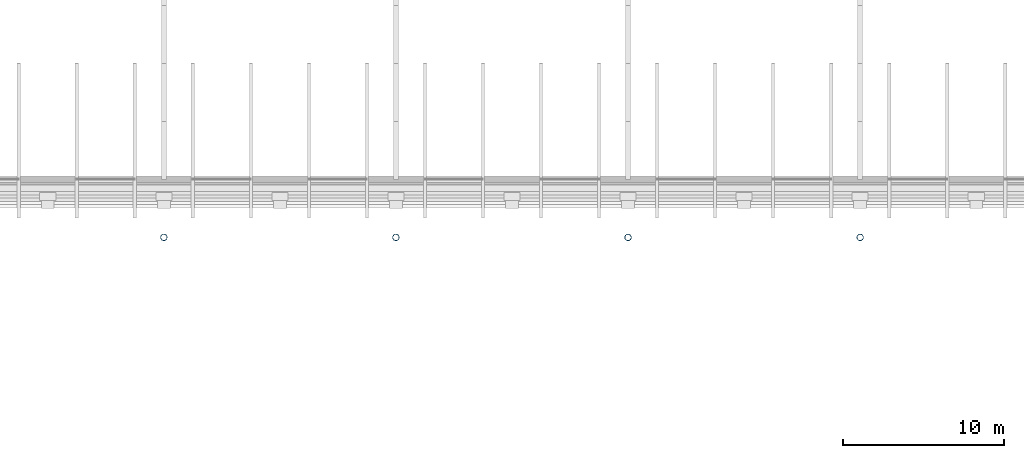
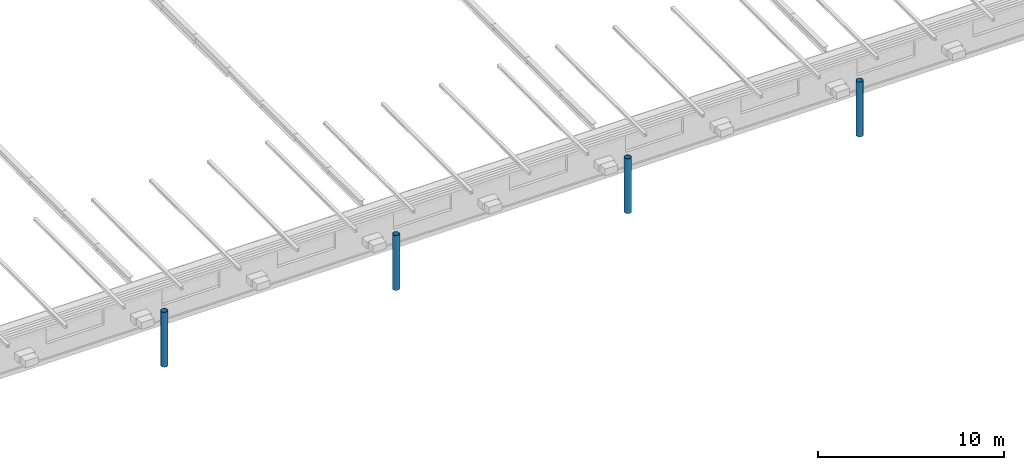
# One storey, part 11 of 110: 4 columns.
"""IFC4 building model written with IfcOpenShell, lengths in metres."""

from ifc_helpers import new_model, si_unit, direction, frame, origin, origin_2d, place, context, subcontext, project, spatial, hollow_circle, extrude, material, material_profile, profile_set, type_object, element, save


model = new_model("IFC4")

# Units and contexts
model_context = context("Model", 3, precision=1e-05, world=origin(), true_north=direction((0.0, 1.0)))
body_context = subcontext(model_context, "Body", "Model", "MODEL_VIEW")
ifc_project = project(units=[si_unit("LENGTHUNIT", "METRE"), si_unit("AREAUNIT", "SQUARE_METRE"), si_unit("VOLUMEUNIT", "CUBIC_METRE"), si_unit("PLANEANGLEUNIT", "RADIAN"), si_unit("MASSUNIT", "GRAM", prefix="KILO")], contexts=[model_context])

# Site, building, storey
site_placement = place(None, origin())
site = spatial("IfcSite", under=ifc_project, at=site_placement, CompositionType="ELEMENT")
building_placement = place(site_placement, origin())
building = spatial("IfcBuilding", under=site, at=building_placement, Name="Kupolbacken Congress Centre", CompositionType="ELEMENT")
storey_placement = place(building_placement, frame((0.0, 0.0, 18.0)))
storey = spatial("IfcBuildingStorey", under=building, at=storey_placement, Name="L05", CompositionType="ELEMENT", Elevation=18.0)

# Columns
ifc_material = material(Name="Steel S355", Category="steel")
ifc_material_profile = material_profile(ifc_material, hollow_circle(Radius=0.203125, WallThickness=0.01611328125, at=origin_2d()), Name="CHS 406.4 x 16")
ifc_profile_set = profile_set([ifc_material_profile], Name="Steel S355")
column_type = type_object("IfcColumnType", Name="C15 roof mast CHS 406.4 x 16", PredefinedType="COLUMN", material=ifc_profile_set)
for number, where, z_axis, x_axis, name in (
    (1, (136.800048828125, 39.60009765625, 0.0), (0.0, 0.0, 1.0), (1.0, 0.0, 0.0), "Roof mast M4S"),
    (2, (151.199951171875, 39.60009765625, 0.0), (0.0, 0.0, 1.0), (1.0, 0.0, 0.0), "Roof mast M5S"),
    (3, (165.60009765625, 39.60009765625, 0.0), (0.0, 0.0, 1.0), (1.0, 0.0, 0.0), "Roof mast M6S"),
    (4, (180.0, 39.60009765625, 0.0), (0.0, 0.0, 1.0), (1.0, 0.0, 0.0), "Roof mast M7S"),
):
    element("IfcColumn", number, at=place(storey_placement, frame(where, z_axis=z_axis, x_axis=x_axis)), inside=storey, type_object=column_type, Name=name, PredefinedType="COLUMN", context=body_context, shape_type="SweptSolid", body=[
        extrude(hollow_circle(Radius=0.203125, WallThickness=0.01611328125, at=origin_2d()), origin(), (0.0, 0.0, 1.0), 3.60009765625),
    ])

save(model, "model.ifc")
